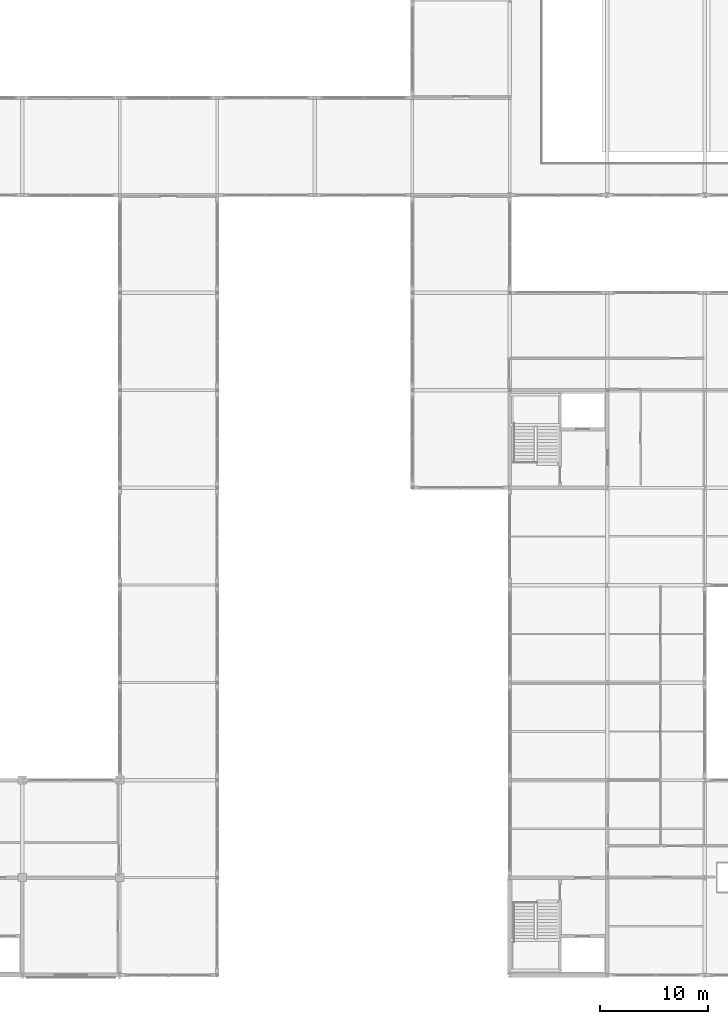
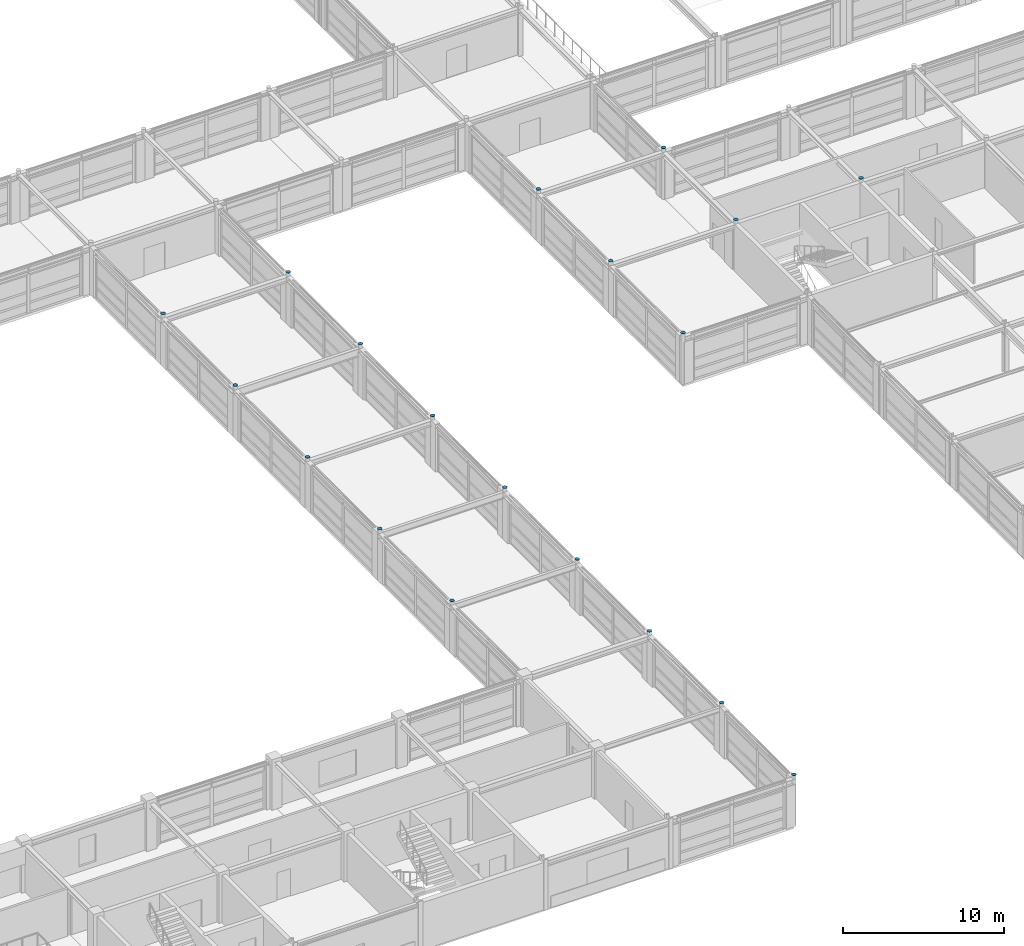
# One storey, part 73 of 79: 19 discrete accessories.
"""IFC4 building model written with IfcOpenShell, lengths in metres."""

from ifc_helpers import new_model, si_unit, direction, frame, origin, place, context, subcontext, project, spatial, polyline, outline, extrude, material, type_object, element, save


model = new_model("IFC4")

# Units and contexts
model_context = context("Model", 3, precision=1e-05, world=origin(), true_north=direction((0.0, 1.0)))
body_context = subcontext(model_context, "Body", "Model", "MODEL_VIEW")
ifc_project = project(units=[si_unit("LENGTHUNIT", "METRE"), si_unit("AREAUNIT", "SQUARE_METRE"), si_unit("VOLUMEUNIT", "CUBIC_METRE"), si_unit("PLANEANGLEUNIT", "RADIAN"), si_unit("MASSUNIT", "GRAM", prefix="KILO")], contexts=[model_context])

# Site, building, storey
site_placement = place(None, origin())
site = spatial("IfcSite", under=ifc_project, at=site_placement, CompositionType="ELEMENT")
building_placement = place(site_placement, origin())
building = spatial("IfcBuilding", under=site, at=building_placement, Name="Palais des Congres Ocreval", CompositionType="ELEMENT")
storey_placement = place(building_placement, frame((0.0, 0.0, 4.320068359375)))
storey = spatial("IfcBuildingStorey", under=building, at=storey_placement, Name="L01", CompositionType="ELEMENT", Elevation=4.320068359375)

# Discrete accessories
ifc_material = material(Name="Steel S355", Category="steel")
discrete_accessory_type = type_object("IfcDiscreteAccessoryType", Name="Column Cap Plate PL20 Steel S355", PredefinedType="USERDEFINED", material=ifc_material)
discrete_accessory_1_placement = place(storey_placement, frame((0.0, 0.0, 3.83984375)))
element("IfcDiscreteAccessory", 1, at=discrete_accessory_1_placement, inside=storey, type_object=discrete_accessory_type, Name="Column Cap Plate PL20 C17", ObjectType="COLUMN CAP PLATE", PredefinedType="USERDEFINED", context=body_context, shape_type="SweptSolid", body=[
    extrude(outline(polyline([(72.14990234375, 27.0), (72.147216796875, 27.029296875), (72.138671875, 27.057373046875), (72.124755859375, 27.083251953125), (72.106201171875, 27.106201171875), (72.083251953125, 27.124755859375), (72.057373046875, 27.138671875), (72.029296875, 27.147216796875), (72.0, 27.14990234375), (71.970703125, 27.147216796875), (71.942626953125, 27.138671875), (71.916748046875, 27.124755859375), (71.893798828125, 27.106201171875), (71.875244140625, 27.083251953125), (71.861328125, 27.057373046875), (71.852783203125, 27.029296875), (71.85009765625, 27.0), (71.852783203125, 26.970703125), (71.861328125, 26.942626953125), (71.875244140625, 26.916748046875), (71.893798828125, 26.893798828125), (71.916748046875, 26.875244140625), (71.942626953125, 26.861328125), (71.970703125, 26.852783203125), (72.0, 26.85009765625), (72.029296875, 26.852783203125), (72.057373046875, 26.861328125), (72.083251953125, 26.875244140625), (72.106201171875, 26.893798828125), (72.124755859375, 26.916748046875), (72.138671875, 26.942626953125), (72.147216796875, 26.970703125), (72.14990234375, 27.0)])), origin(), (0.0, 0.0, 1.0), 0.02001953125),
])
discrete_accessory_2_placement = place(storey_placement, frame((0.0, 0.0, 3.83984375)))
element("IfcDiscreteAccessory", 2, at=discrete_accessory_2_placement, inside=storey, type_object=discrete_accessory_type, Name="Column Cap Plate PL20 C17", ObjectType="COLUMN CAP PLATE", PredefinedType="USERDEFINED", context=body_context, shape_type="SweptSolid", body=[
    extrude(outline(polyline([(72.14990234375, 36.0), (72.147216796875, 36.029296875), (72.138671875, 36.057373046875), (72.124755859375, 36.083251953125), (72.106201171875, 36.106201171875), (72.083251953125, 36.124755859375), (72.057373046875, 36.138671875), (72.029296875, 36.147216796875), (72.0, 36.14990234375), (71.970703125, 36.147216796875), (71.942626953125, 36.138671875), (71.916748046875, 36.124755859375), (71.893798828125, 36.106201171875), (71.875244140625, 36.083251953125), (71.861328125, 36.057373046875), (71.852783203125, 36.029296875), (71.85009765625, 36.0), (71.852783203125, 35.970703125), (71.861328125, 35.942626953125), (71.875244140625, 35.916748046875), (71.893798828125, 35.893798828125), (71.916748046875, 35.875244140625), (71.942626953125, 35.861328125), (71.970703125, 35.852783203125), (72.0, 35.85009765625), (72.029296875, 35.852783203125), (72.057373046875, 35.861328125), (72.083251953125, 35.875244140625), (72.106201171875, 35.893798828125), (72.124755859375, 35.916748046875), (72.138671875, 35.942626953125), (72.147216796875, 35.970703125), (72.14990234375, 36.0)])), origin(), (0.0, 0.0, 1.0), 0.02001953125),
])
discrete_accessory_3_placement = place(storey_placement, frame((0.0, 0.0, 3.83984375)))
element("IfcDiscreteAccessory", 3, at=discrete_accessory_3_placement, inside=storey, type_object=discrete_accessory_type, Name="Column Cap Plate PL20 C17", ObjectType="COLUMN CAP PLATE", PredefinedType="USERDEFINED", context=body_context, shape_type="SweptSolid", body=[
    extrude(outline(polyline([(72.14990234375, 45.0), (72.147216796875, 45.029296875), (72.138671875, 45.057373046875), (72.124755859375, 45.083251953125), (72.106201171875, 45.106201171875), (72.083251953125, 45.124755859375), (72.057373046875, 45.138671875), (72.029296875, 45.147216796875), (72.0, 45.14990234375), (71.970703125, 45.147216796875), (71.942626953125, 45.138671875), (71.916748046875, 45.124755859375), (71.893798828125, 45.106201171875), (71.875244140625, 45.083251953125), (71.861328125, 45.057373046875), (71.852783203125, 45.029296875), (71.85009765625, 45.0), (71.852783203125, 44.970703125), (71.861328125, 44.942626953125), (71.875244140625, 44.916748046875), (71.893798828125, 44.893798828125), (71.916748046875, 44.875244140625), (71.942626953125, 44.861328125), (71.970703125, 44.852783203125), (72.0, 44.85009765625), (72.029296875, 44.852783203125), (72.057373046875, 44.861328125), (72.083251953125, 44.875244140625), (72.106201171875, 44.893798828125), (72.124755859375, 44.916748046875), (72.138671875, 44.942626953125), (72.147216796875, 44.970703125), (72.14990234375, 45.0)])), origin(), (0.0, 0.0, 1.0), 0.02001953125),
])
discrete_accessory_4_placement = place(storey_placement, frame((0.0, 0.0, 3.83984375)))
element("IfcDiscreteAccessory", 4, at=discrete_accessory_4_placement, inside=storey, type_object=discrete_accessory_type, Name="Column Cap Plate PL20 C17", ObjectType="COLUMN CAP PLATE", PredefinedType="USERDEFINED", context=body_context, shape_type="SweptSolid", body=[
    extrude(outline(polyline([(72.14990234375, 54.0), (72.147216796875, 54.029296875), (72.138671875, 54.057373046875), (72.124755859375, 54.083251953125), (72.106201171875, 54.106201171875), (72.083251953125, 54.124755859375), (72.057373046875, 54.138671875), (72.029296875, 54.147216796875), (72.0, 54.14990234375), (71.970703125, 54.147216796875), (71.942626953125, 54.138671875), (71.916748046875, 54.124755859375), (71.893798828125, 54.106201171875), (71.875244140625, 54.083251953125), (71.861328125, 54.057373046875), (71.852783203125, 54.029296875), (71.85009765625, 54.0), (71.852783203125, 53.970703125), (71.861328125, 53.942626953125), (71.875244140625, 53.916748046875), (71.893798828125, 53.893798828125), (71.916748046875, 53.875244140625), (71.942626953125, 53.861328125), (71.970703125, 53.852783203125), (72.0, 53.85009765625), (72.029296875, 53.852783203125), (72.057373046875, 53.861328125), (72.083251953125, 53.875244140625), (72.106201171875, 53.893798828125), (72.124755859375, 53.916748046875), (72.138671875, 53.942626953125), (72.147216796875, 53.970703125), (72.14990234375, 54.0)])), origin(), (0.0, 0.0, 1.0), 0.02001953125),
])
discrete_accessory_5_placement = place(storey_placement, frame((0.0, 0.0, 3.83984375)))
element("IfcDiscreteAccessory", 5, at=discrete_accessory_5_placement, inside=storey, type_object=discrete_accessory_type, Name="Column Cap Plate PL20 C17", ObjectType="COLUMN CAP PLATE", PredefinedType="USERDEFINED", context=body_context, shape_type="SweptSolid", body=[
    extrude(outline(polyline([(72.14990234375, 63.0), (72.147216796875, 63.029296875), (72.138671875, 63.057373046875), (72.124755859375, 63.083251953125), (72.106201171875, 63.106201171875), (72.083251953125, 63.124755859375), (72.057373046875, 63.138671875), (72.029296875, 63.147216796875), (72.0, 63.14990234375), (71.970703125, 63.147216796875), (71.942626953125, 63.138671875), (71.916748046875, 63.124755859375), (71.893798828125, 63.106201171875), (71.875244140625, 63.083251953125), (71.861328125, 63.057373046875), (71.852783203125, 63.029296875), (71.85009765625, 63.0), (71.852783203125, 62.970703125), (71.861328125, 62.942626953125), (71.875244140625, 62.916748046875), (71.893798828125, 62.893798828125), (71.916748046875, 62.875244140625), (71.942626953125, 62.861328125), (71.970703125, 62.852783203125), (72.0, 62.85009765625), (72.029296875, 62.852783203125), (72.057373046875, 62.861328125), (72.083251953125, 62.875244140625), (72.106201171875, 62.893798828125), (72.124755859375, 62.916748046875), (72.138671875, 62.942626953125), (72.147216796875, 62.970703125), (72.14990234375, 63.0)])), origin(), (0.0, 0.0, 1.0), 0.02001953125),
])
discrete_accessory_6_placement = place(storey_placement, frame((0.0, 0.0, 3.83984375)))
element("IfcDiscreteAccessory", 6, at=discrete_accessory_6_placement, inside=storey, type_object=discrete_accessory_type, Name="Column Cap Plate PL20 C17", ObjectType="COLUMN CAP PLATE", PredefinedType="USERDEFINED", context=body_context, shape_type="SweptSolid", body=[
    extrude(outline(polyline([(81.14990234375, 0.0), (81.147216796875, 0.029296875), (81.138671875, 0.057373046875), (81.124755859375, 0.083251953125), (81.106201171875, 0.106201171875), (81.083251953125, 0.124755859375), (81.057373046875, 0.138671875), (81.029296875, 0.147216796875), (81.0, 0.14990234375), (80.970703125, 0.147216796875), (80.942626953125, 0.138671875), (80.916748046875, 0.124755859375), (80.893798828125, 0.106201171875), (80.875244140625, 0.083251953125), (80.861328125, 0.057373046875), (80.852783203125, 0.029296875), (80.85009765625, 0.0), (80.852783203125, -0.029296875), (80.861328125, -0.057373046875), (80.875244140625, -0.083251953125), (80.893798828125, -0.106201171875), (80.916748046875, -0.124755859375), (80.942626953125, -0.138671875), (80.970703125, -0.147216796875), (81.0, -0.14990234375), (81.029296875, -0.147216796875), (81.057373046875, -0.138671875), (81.083251953125, -0.124755859375), (81.106201171875, -0.106201171875), (81.124755859375, -0.083251953125), (81.138671875, -0.057373046875), (81.147216796875, -0.029296875), (81.14990234375, 0.0)])), origin(), (0.0, 0.0, 1.0), 0.02001953125),
])
discrete_accessory_7_placement = place(storey_placement, frame((0.0, 0.0, 3.83984375)))
element("IfcDiscreteAccessory", 7, at=discrete_accessory_7_placement, inside=storey, type_object=discrete_accessory_type, Name="Column Cap Plate PL20 C17", ObjectType="COLUMN CAP PLATE", PredefinedType="USERDEFINED", context=body_context, shape_type="SweptSolid", body=[
    extrude(outline(polyline([(81.14990234375, 9.0), (81.147216796875, 9.029296875), (81.138671875, 9.057373046875), (81.124755859375, 9.083251953125), (81.106201171875, 9.106201171875), (81.083251953125, 9.124755859375), (81.057373046875, 9.138671875), (81.029296875, 9.147216796875), (81.0, 9.14990234375), (80.970703125, 9.147216796875), (80.942626953125, 9.138671875), (80.916748046875, 9.124755859375), (80.893798828125, 9.106201171875), (80.875244140625, 9.083251953125), (80.861328125, 9.057373046875), (80.852783203125, 9.029296875), (80.85009765625, 9.0), (80.852783203125, 8.970703125), (80.861328125, 8.942626953125), (80.875244140625, 8.916748046875), (80.893798828125, 8.893798828125), (80.916748046875, 8.875244140625), (80.942626953125, 8.861328125), (80.970703125, 8.852783203125), (81.0, 8.85009765625), (81.029296875, 8.852783203125), (81.057373046875, 8.861328125), (81.083251953125, 8.875244140625), (81.106201171875, 8.893798828125), (81.124755859375, 8.916748046875), (81.138671875, 8.942626953125), (81.147216796875, 8.970703125), (81.14990234375, 9.0)])), origin(), (0.0, 0.0, 1.0), 0.02001953125),
])
discrete_accessory_8_placement = place(storey_placement, frame((0.0, 0.0, 3.83984375)))
element("IfcDiscreteAccessory", 8, at=discrete_accessory_8_placement, inside=storey, type_object=discrete_accessory_type, Name="Column Cap Plate PL20 C17", ObjectType="COLUMN CAP PLATE", PredefinedType="USERDEFINED", context=body_context, shape_type="SweptSolid", body=[
    extrude(outline(polyline([(81.14990234375, 18.0), (81.147216796875, 18.029296875), (81.138671875, 18.057373046875), (81.124755859375, 18.083251953125), (81.106201171875, 18.106201171875), (81.083251953125, 18.124755859375), (81.057373046875, 18.138671875), (81.029296875, 18.147216796875), (81.0, 18.14990234375), (80.970703125, 18.147216796875), (80.942626953125, 18.138671875), (80.916748046875, 18.124755859375), (80.893798828125, 18.106201171875), (80.875244140625, 18.083251953125), (80.861328125, 18.057373046875), (80.852783203125, 18.029296875), (80.85009765625, 18.0), (80.852783203125, 17.970703125), (80.861328125, 17.942626953125), (80.875244140625, 17.916748046875), (80.893798828125, 17.893798828125), (80.916748046875, 17.875244140625), (80.942626953125, 17.861328125), (80.970703125, 17.852783203125), (81.0, 17.85009765625), (81.029296875, 17.852783203125), (81.057373046875, 17.861328125), (81.083251953125, 17.875244140625), (81.106201171875, 17.893798828125), (81.124755859375, 17.916748046875), (81.138671875, 17.942626953125), (81.147216796875, 17.970703125), (81.14990234375, 18.0)])), origin(), (0.0, 0.0, 1.0), 0.02001953125),
])
discrete_accessory_9_placement = place(storey_placement, frame((0.0, 0.0, 3.83984375)))
element("IfcDiscreteAccessory", 9, at=discrete_accessory_9_placement, inside=storey, type_object=discrete_accessory_type, Name="Column Cap Plate PL20 C17", ObjectType="COLUMN CAP PLATE", PredefinedType="USERDEFINED", context=body_context, shape_type="SweptSolid", body=[
    extrude(outline(polyline([(81.14990234375, 27.0), (81.147216796875, 27.029296875), (81.138671875, 27.057373046875), (81.124755859375, 27.083251953125), (81.106201171875, 27.106201171875), (81.083251953125, 27.124755859375), (81.057373046875, 27.138671875), (81.029296875, 27.147216796875), (81.0, 27.14990234375), (80.970703125, 27.147216796875), (80.942626953125, 27.138671875), (80.916748046875, 27.124755859375), (80.893798828125, 27.106201171875), (80.875244140625, 27.083251953125), (80.861328125, 27.057373046875), (80.852783203125, 27.029296875), (80.85009765625, 27.0), (80.852783203125, 26.970703125), (80.861328125, 26.942626953125), (80.875244140625, 26.916748046875), (80.893798828125, 26.893798828125), (80.916748046875, 26.875244140625), (80.942626953125, 26.861328125), (80.970703125, 26.852783203125), (81.0, 26.85009765625), (81.029296875, 26.852783203125), (81.057373046875, 26.861328125), (81.083251953125, 26.875244140625), (81.106201171875, 26.893798828125), (81.124755859375, 26.916748046875), (81.138671875, 26.942626953125), (81.147216796875, 26.970703125), (81.14990234375, 27.0)])), origin(), (0.0, 0.0, 1.0), 0.02001953125),
])
discrete_accessory_10_placement = place(storey_placement, frame((0.0, 0.0, 3.83984375)))
element("IfcDiscreteAccessory", 10, at=discrete_accessory_10_placement, inside=storey, type_object=discrete_accessory_type, Name="Column Cap Plate PL20 C17", ObjectType="COLUMN CAP PLATE", PredefinedType="USERDEFINED", context=body_context, shape_type="SweptSolid", body=[
    extrude(outline(polyline([(81.14990234375, 36.0), (81.147216796875, 36.029296875), (81.138671875, 36.057373046875), (81.124755859375, 36.083251953125), (81.106201171875, 36.106201171875), (81.083251953125, 36.124755859375), (81.057373046875, 36.138671875), (81.029296875, 36.147216796875), (81.0, 36.14990234375), (80.970703125, 36.147216796875), (80.942626953125, 36.138671875), (80.916748046875, 36.124755859375), (80.893798828125, 36.106201171875), (80.875244140625, 36.083251953125), (80.861328125, 36.057373046875), (80.852783203125, 36.029296875), (80.85009765625, 36.0), (80.852783203125, 35.970703125), (80.861328125, 35.942626953125), (80.875244140625, 35.916748046875), (80.893798828125, 35.893798828125), (80.916748046875, 35.875244140625), (80.942626953125, 35.861328125), (80.970703125, 35.852783203125), (81.0, 35.85009765625), (81.029296875, 35.852783203125), (81.057373046875, 35.861328125), (81.083251953125, 35.875244140625), (81.106201171875, 35.893798828125), (81.124755859375, 35.916748046875), (81.138671875, 35.942626953125), (81.147216796875, 35.970703125), (81.14990234375, 36.0)])), origin(), (0.0, 0.0, 1.0), 0.02001953125),
])
discrete_accessory_11_placement = place(storey_placement, frame((0.0, 0.0, 3.83984375)))
element("IfcDiscreteAccessory", 11, at=discrete_accessory_11_placement, inside=storey, type_object=discrete_accessory_type, Name="Column Cap Plate PL20 C17", ObjectType="COLUMN CAP PLATE", PredefinedType="USERDEFINED", context=body_context, shape_type="SweptSolid", body=[
    extrude(outline(polyline([(81.14990234375, 45.0), (81.147216796875, 45.029296875), (81.138671875, 45.057373046875), (81.124755859375, 45.083251953125), (81.106201171875, 45.106201171875), (81.083251953125, 45.124755859375), (81.057373046875, 45.138671875), (81.029296875, 45.147216796875), (81.0, 45.14990234375), (80.970703125, 45.147216796875), (80.942626953125, 45.138671875), (80.916748046875, 45.124755859375), (80.893798828125, 45.106201171875), (80.875244140625, 45.083251953125), (80.861328125, 45.057373046875), (80.852783203125, 45.029296875), (80.85009765625, 45.0), (80.852783203125, 44.970703125), (80.861328125, 44.942626953125), (80.875244140625, 44.916748046875), (80.893798828125, 44.893798828125), (80.916748046875, 44.875244140625), (80.942626953125, 44.861328125), (80.970703125, 44.852783203125), (81.0, 44.85009765625), (81.029296875, 44.852783203125), (81.057373046875, 44.861328125), (81.083251953125, 44.875244140625), (81.106201171875, 44.893798828125), (81.124755859375, 44.916748046875), (81.138671875, 44.942626953125), (81.147216796875, 44.970703125), (81.14990234375, 45.0)])), origin(), (0.0, 0.0, 1.0), 0.02001953125),
])
discrete_accessory_12_placement = place(storey_placement, frame((0.0, 0.0, 3.83984375)))
element("IfcDiscreteAccessory", 12, at=discrete_accessory_12_placement, inside=storey, type_object=discrete_accessory_type, Name="Column Cap Plate PL20 C17", ObjectType="COLUMN CAP PLATE", PredefinedType="USERDEFINED", context=body_context, shape_type="SweptSolid", body=[
    extrude(outline(polyline([(81.14990234375, 54.0), (81.147216796875, 54.029296875), (81.138671875, 54.057373046875), (81.124755859375, 54.083251953125), (81.106201171875, 54.106201171875), (81.083251953125, 54.124755859375), (81.057373046875, 54.138671875), (81.029296875, 54.147216796875), (81.0, 54.14990234375), (80.970703125, 54.147216796875), (80.942626953125, 54.138671875), (80.916748046875, 54.124755859375), (80.893798828125, 54.106201171875), (80.875244140625, 54.083251953125), (80.861328125, 54.057373046875), (80.852783203125, 54.029296875), (80.85009765625, 54.0), (80.852783203125, 53.970703125), (80.861328125, 53.942626953125), (80.875244140625, 53.916748046875), (80.893798828125, 53.893798828125), (80.916748046875, 53.875244140625), (80.942626953125, 53.861328125), (80.970703125, 53.852783203125), (81.0, 53.85009765625), (81.029296875, 53.852783203125), (81.057373046875, 53.861328125), (81.083251953125, 53.875244140625), (81.106201171875, 53.893798828125), (81.124755859375, 53.916748046875), (81.138671875, 53.942626953125), (81.147216796875, 53.970703125), (81.14990234375, 54.0)])), origin(), (0.0, 0.0, 1.0), 0.02001953125),
])
discrete_accessory_13_placement = place(storey_placement, frame((0.0, 0.0, 3.83984375)))
element("IfcDiscreteAccessory", 13, at=discrete_accessory_13_placement, inside=storey, type_object=discrete_accessory_type, Name="Column Cap Plate PL20 C17", ObjectType="COLUMN CAP PLATE", PredefinedType="USERDEFINED", context=body_context, shape_type="SweptSolid", body=[
    extrude(outline(polyline([(81.14990234375, 63.0), (81.147216796875, 63.029296875), (81.138671875, 63.057373046875), (81.124755859375, 63.083251953125), (81.106201171875, 63.106201171875), (81.083251953125, 63.124755859375), (81.057373046875, 63.138671875), (81.029296875, 63.147216796875), (81.0, 63.14990234375), (80.970703125, 63.147216796875), (80.942626953125, 63.138671875), (80.916748046875, 63.124755859375), (80.893798828125, 63.106201171875), (80.875244140625, 63.083251953125), (80.861328125, 63.057373046875), (80.852783203125, 63.029296875), (80.85009765625, 63.0), (80.852783203125, 62.970703125), (80.861328125, 62.942626953125), (80.875244140625, 62.916748046875), (80.893798828125, 62.893798828125), (80.916748046875, 62.875244140625), (80.942626953125, 62.861328125), (80.970703125, 62.852783203125), (81.0, 62.85009765625), (81.029296875, 62.852783203125), (81.057373046875, 62.861328125), (81.083251953125, 62.875244140625), (81.106201171875, 62.893798828125), (81.124755859375, 62.916748046875), (81.138671875, 62.942626953125), (81.147216796875, 62.970703125), (81.14990234375, 63.0)])), origin(), (0.0, 0.0, 1.0), 0.02001953125),
])
discrete_accessory_14_placement = place(storey_placement, frame((0.0, 0.0, 3.83984375)))
element("IfcDiscreteAccessory", 14, at=discrete_accessory_14_placement, inside=storey, type_object=discrete_accessory_type, Name="Column Cap Plate PL20 C17", ObjectType="COLUMN CAP PLATE", PredefinedType="USERDEFINED", context=body_context, shape_type="SweptSolid", body=[
    extrude(outline(polyline([(99.14990234375, 45.0), (99.147216796875, 45.029296875), (99.138671875, 45.057373046875), (99.124755859375, 45.083251953125), (99.106201171875, 45.106201171875), (99.083251953125, 45.124755859375), (99.057373046875, 45.138671875), (99.029296875, 45.147216796875), (99.0, 45.14990234375), (98.970703125, 45.147216796875), (98.942626953125, 45.138671875), (98.916748046875, 45.124755859375), (98.893798828125, 45.106201171875), (98.875244140625, 45.083251953125), (98.861328125, 45.057373046875), (98.852783203125, 45.029296875), (98.85009765625, 45.0), (98.852783203125, 44.970703125), (98.861328125, 44.942626953125), (98.875244140625, 44.916748046875), (98.893798828125, 44.893798828125), (98.916748046875, 44.875244140625), (98.942626953125, 44.861328125), (98.970703125, 44.852783203125), (99.0, 44.85009765625), (99.029296875, 44.852783203125), (99.057373046875, 44.861328125), (99.083251953125, 44.875244140625), (99.106201171875, 44.893798828125), (99.124755859375, 44.916748046875), (99.138671875, 44.942626953125), (99.147216796875, 44.970703125), (99.14990234375, 45.0)])), origin(), (0.0, 0.0, 1.0), 0.02001953125),
])
discrete_accessory_15_placement = place(storey_placement, frame((0.0, 0.0, 3.83984375)))
element("IfcDiscreteAccessory", 15, at=discrete_accessory_15_placement, inside=storey, type_object=discrete_accessory_type, Name="Column Cap Plate PL20 C17", ObjectType="COLUMN CAP PLATE", PredefinedType="USERDEFINED", context=body_context, shape_type="SweptSolid", body=[
    extrude(outline(polyline([(99.14990234375, 54.0), (99.147216796875, 54.029296875), (99.138671875, 54.057373046875), (99.124755859375, 54.083251953125), (99.106201171875, 54.106201171875), (99.083251953125, 54.124755859375), (99.057373046875, 54.138671875), (99.029296875, 54.147216796875), (99.0, 54.14990234375), (98.970703125, 54.147216796875), (98.942626953125, 54.138671875), (98.916748046875, 54.124755859375), (98.893798828125, 54.106201171875), (98.875244140625, 54.083251953125), (98.861328125, 54.057373046875), (98.852783203125, 54.029296875), (98.85009765625, 54.0), (98.852783203125, 53.970703125), (98.861328125, 53.942626953125), (98.875244140625, 53.916748046875), (98.893798828125, 53.893798828125), (98.916748046875, 53.875244140625), (98.942626953125, 53.861328125), (98.970703125, 53.852783203125), (99.0, 53.85009765625), (99.029296875, 53.852783203125), (99.057373046875, 53.861328125), (99.083251953125, 53.875244140625), (99.106201171875, 53.893798828125), (99.124755859375, 53.916748046875), (99.138671875, 53.942626953125), (99.147216796875, 53.970703125), (99.14990234375, 54.0)])), origin(), (0.0, 0.0, 1.0), 0.02001953125),
])
discrete_accessory_16_placement = place(storey_placement, frame((0.0, 0.0, 3.83984375)))
element("IfcDiscreteAccessory", 16, at=discrete_accessory_16_placement, inside=storey, type_object=discrete_accessory_type, Name="Column Cap Plate PL20 C17", ObjectType="COLUMN CAP PLATE", PredefinedType="USERDEFINED", context=body_context, shape_type="SweptSolid", body=[
    extrude(outline(polyline([(99.14990234375, 63.0), (99.147216796875, 63.029296875), (99.138671875, 63.057373046875), (99.124755859375, 63.083251953125), (99.106201171875, 63.106201171875), (99.083251953125, 63.124755859375), (99.057373046875, 63.138671875), (99.029296875, 63.147216796875), (99.0, 63.14990234375), (98.970703125, 63.147216796875), (98.942626953125, 63.138671875), (98.916748046875, 63.124755859375), (98.893798828125, 63.106201171875), (98.875244140625, 63.083251953125), (98.861328125, 63.057373046875), (98.852783203125, 63.029296875), (98.85009765625, 63.0), (98.852783203125, 62.970703125), (98.861328125, 62.942626953125), (98.875244140625, 62.916748046875), (98.893798828125, 62.893798828125), (98.916748046875, 62.875244140625), (98.942626953125, 62.861328125), (98.970703125, 62.852783203125), (99.0, 62.85009765625), (99.029296875, 62.852783203125), (99.057373046875, 62.861328125), (99.083251953125, 62.875244140625), (99.106201171875, 62.893798828125), (99.124755859375, 62.916748046875), (99.138671875, 62.942626953125), (99.147216796875, 62.970703125), (99.14990234375, 63.0)])), origin(), (0.0, 0.0, 1.0), 0.02001953125),
])
discrete_accessory_17_placement = place(storey_placement, frame((0.0, 0.0, 3.83984375)))
element("IfcDiscreteAccessory", 17, at=discrete_accessory_17_placement, inside=storey, type_object=discrete_accessory_type, Name="Column Cap Plate PL20 C17", ObjectType="COLUMN CAP PLATE", PredefinedType="USERDEFINED", context=body_context, shape_type="SweptSolid", body=[
    extrude(outline(polyline([(108.14990234375, 54.0), (108.147216796875, 54.029296875), (108.138671875, 54.057373046875), (108.124755859375, 54.083251953125), (108.106201171875, 54.106201171875), (108.083251953125, 54.124755859375), (108.057373046875, 54.138671875), (108.029296875, 54.147216796875), (108.0, 54.14990234375), (107.970703125, 54.147216796875), (107.942626953125, 54.138671875), (107.916748046875, 54.124755859375), (107.893798828125, 54.106201171875), (107.875244140625, 54.083251953125), (107.861328125, 54.057373046875), (107.852783203125, 54.029296875), (107.85009765625, 54.0), (107.852783203125, 53.970703125), (107.861328125, 53.942626953125), (107.875244140625, 53.916748046875), (107.893798828125, 53.893798828125), (107.916748046875, 53.875244140625), (107.942626953125, 53.861328125), (107.970703125, 53.852783203125), (108.0, 53.85009765625), (108.029296875, 53.852783203125), (108.057373046875, 53.861328125), (108.083251953125, 53.875244140625), (108.106201171875, 53.893798828125), (108.124755859375, 53.916748046875), (108.138671875, 53.942626953125), (108.147216796875, 53.970703125), (108.14990234375, 54.0)])), origin(), (0.0, 0.0, 1.0), 0.02001953125),
])
discrete_accessory_18_placement = place(storey_placement, frame((0.0, 0.0, 3.83984375)))
element("IfcDiscreteAccessory", 18, at=discrete_accessory_18_placement, inside=storey, type_object=discrete_accessory_type, Name="Column Cap Plate PL20 C17", ObjectType="COLUMN CAP PLATE", PredefinedType="USERDEFINED", context=body_context, shape_type="SweptSolid", body=[
    extrude(outline(polyline([(108.14990234375, 63.0), (108.147216796875, 63.029296875), (108.138671875, 63.057373046875), (108.124755859375, 63.083251953125), (108.106201171875, 63.106201171875), (108.083251953125, 63.124755859375), (108.057373046875, 63.138671875), (108.029296875, 63.147216796875), (108.0, 63.14990234375), (107.970703125, 63.147216796875), (107.942626953125, 63.138671875), (107.916748046875, 63.124755859375), (107.893798828125, 63.106201171875), (107.875244140625, 63.083251953125), (107.861328125, 63.057373046875), (107.852783203125, 63.029296875), (107.85009765625, 63.0), (107.852783203125, 62.970703125), (107.861328125, 62.942626953125), (107.875244140625, 62.916748046875), (107.893798828125, 62.893798828125), (107.916748046875, 62.875244140625), (107.942626953125, 62.861328125), (107.970703125, 62.852783203125), (108.0, 62.85009765625), (108.029296875, 62.852783203125), (108.057373046875, 62.861328125), (108.083251953125, 62.875244140625), (108.106201171875, 62.893798828125), (108.124755859375, 62.916748046875), (108.138671875, 62.942626953125), (108.147216796875, 62.970703125), (108.14990234375, 63.0)])), origin(), (0.0, 0.0, 1.0), 0.02001953125),
])
discrete_accessory_19_placement = place(storey_placement, frame((0.0, 0.0, 3.83984375)))
element("IfcDiscreteAccessory", 19, at=discrete_accessory_19_placement, inside=storey, type_object=discrete_accessory_type, Name="Column Cap Plate PL20 C17", ObjectType="COLUMN CAP PLATE", PredefinedType="USERDEFINED", context=body_context, shape_type="SweptSolid", body=[
    extrude(outline(polyline([(117.14990234375, 54.0), (117.147216796875, 54.029296875), (117.138671875, 54.057373046875), (117.124755859375, 54.083251953125), (117.106201171875, 54.106201171875), (117.083251953125, 54.124755859375), (117.057373046875, 54.138671875), (117.029296875, 54.147216796875), (117.0, 54.14990234375), (116.970703125, 54.147216796875), (116.942626953125, 54.138671875), (116.916748046875, 54.124755859375), (116.893798828125, 54.106201171875), (116.875244140625, 54.083251953125), (116.861328125, 54.057373046875), (116.852783203125, 54.029296875), (116.85009765625, 54.0), (116.852783203125, 53.970703125), (116.861328125, 53.942626953125), (116.875244140625, 53.916748046875), (116.893798828125, 53.893798828125), (116.916748046875, 53.875244140625), (116.942626953125, 53.861328125), (116.970703125, 53.852783203125), (117.0, 53.85009765625), (117.029296875, 53.852783203125), (117.057373046875, 53.861328125), (117.083251953125, 53.875244140625), (117.106201171875, 53.893798828125), (117.124755859375, 53.916748046875), (117.138671875, 53.942626953125), (117.147216796875, 53.970703125), (117.14990234375, 54.0)])), origin(), (0.0, 0.0, 1.0), 0.02001953125),
])

save(model, "model.ifc")
